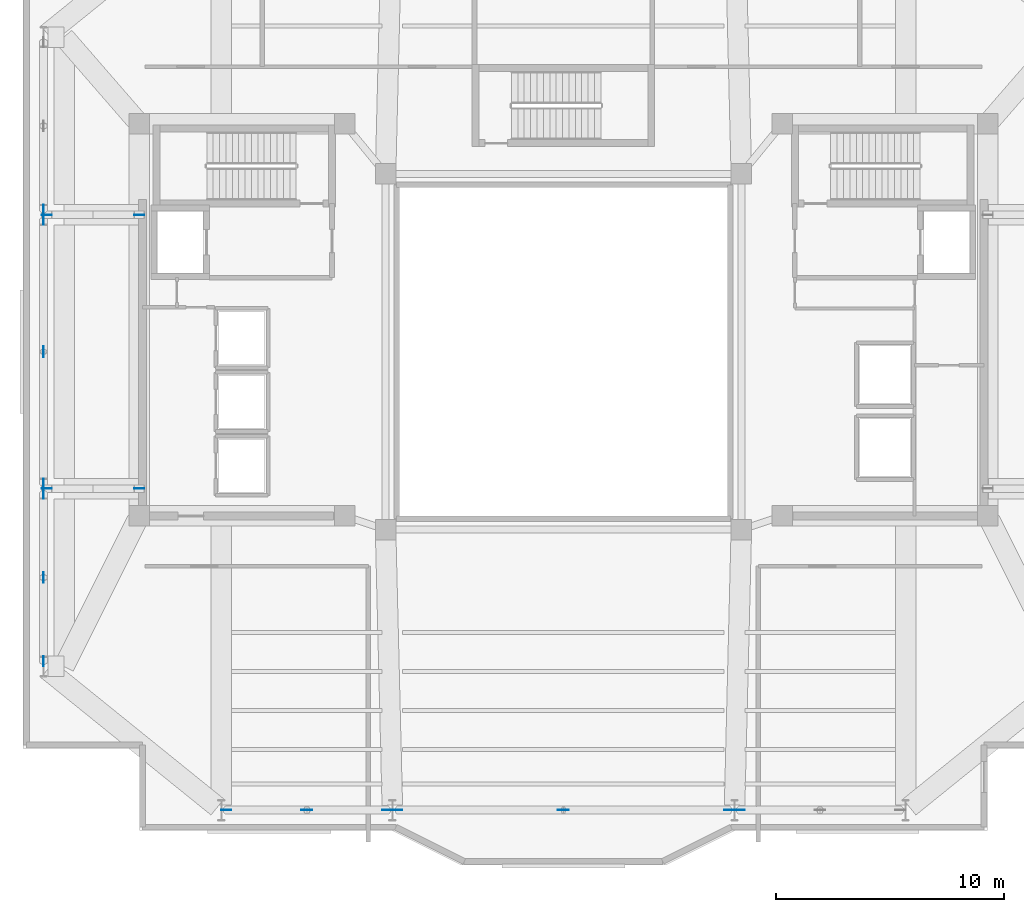
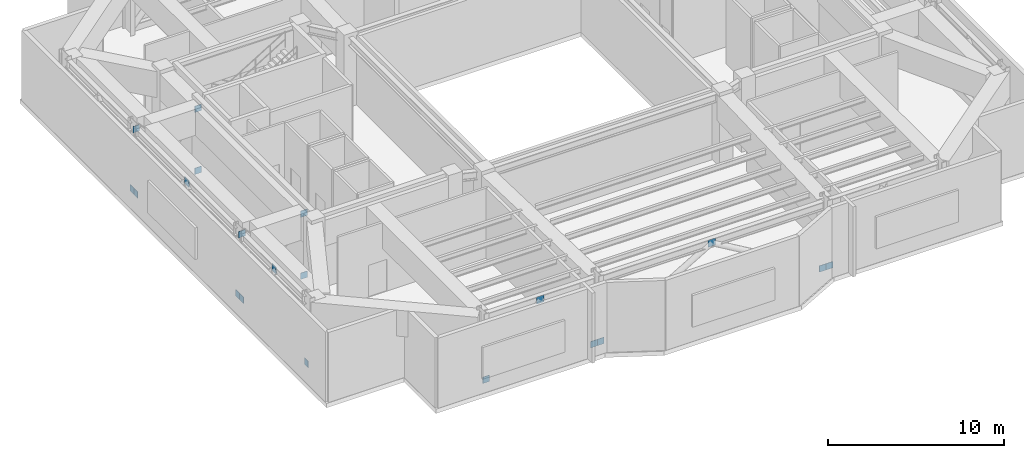
# One storey, part 4 of 13: 20 plates.
"""IFC4 building model written with IfcOpenShell, lengths in metres."""

from ifc_helpers import new_model, si_unit, direction, frame, origin, origin_2d, place, context, subcontext, project, spatial, rectangle, extrude, material, layer, layer_set, type_object, element, save


model = new_model("IFC4")

# Units and contexts
model_context = context("Model", 3, precision=1e-05, world=origin(), true_north=direction((0.0, 1.0)))
body_context = subcontext(model_context, "Body", "Model", "MODEL_VIEW")
ifc_project = project(units=[si_unit("LENGTHUNIT", "METRE"), si_unit("AREAUNIT", "SQUARE_METRE"), si_unit("VOLUMEUNIT", "CUBIC_METRE"), si_unit("PLANEANGLEUNIT", "RADIAN"), si_unit("MASSUNIT", "GRAM", prefix="KILO")], contexts=[model_context])

# Site, building, storey
site_placement = place(None, origin())
site = spatial("IfcSite", under=ifc_project, at=site_placement, CompositionType="ELEMENT")
building_placement = place(site_placement, origin())
building = spatial("IfcBuilding", under=site, at=building_placement, Name="Tarnavaz Court Tower", CompositionType="ELEMENT")
storey_placement = place(building_placement, frame((0.0, 0.0, 236.39990234375)))
storey = spatial("IfcBuildingStorey", under=building, at=storey_placement, Name="L64", CompositionType="ELEMENT", Elevation=236.39990234375)

# Plates
ifc_material = material(Name="Steel S355", Category="steel")
ifc_layer = layer(ifc_material, 0.030029296875)
ifc_layer_set = layer_set([ifc_layer], Name="Steel S355")
plate_type = type_object("IfcPlateType", Name="PL-GUSSET-30", PredefinedType="USERDEFINED", material=ifc_layer_set)
for number, where, z_axis, x_axis, name in (
    (1, (-11.25, -20.10009765625, 4.260009765625), (0.0, 0.0, 1.0), (1.0, 0.0, 0.0), "L64 Belt Truss Apex Gusset & End-Cap Plate 04"),
    (2, (0.0, -20.10009765625, 4.260009765625), (0.0, 0.0, 1.0), (1.0, 0.0, 0.0), "L64 Belt Truss Apex Gusset & End-Cap Plate 05"),
    (3, (-22.800048828125, -9.89990234375, 4.260009765625), (0.0, 0.0, 1.0), (0.0, 1.0, 0.0), "L64 Belt Truss Apex Gusset & End-Cap Plate 10"),
    (4, (-22.800048828125, 0.0, 4.260009765625), (0.0, 0.0, 1.0), (0.0, 1.0, 0.0), "L64 Belt Truss Apex Gusset & End-Cap Plate 11"),
):
    element("IfcPlate", number, at=place(storey_placement, frame(where, z_axis=z_axis, x_axis=x_axis)), inside=storey, type_object=plate_type, Name=name, ObjectType="GUSSET PLATE", PredefinedType="USERDEFINED", context=body_context, shape_type="SweptSolid", body=[
        extrude(rectangle(XDim=0.47998046875, YDim=0.030029296875, at=origin_2d()), origin(), (0.0, 0.0, 1.0), 0.47998046875),
    ])
for number, where, z_axis, x_axis, name in (
    (5, (-14.780029296875, -20.10009765625, -0.019775390625), (0.0, 0.0, 1.0), (1.0, 0.0, 0.0), "L64 Structural Brace & Strut End Gusset Plate 117"),
    (6, (-7.719970703125, -20.10009765625, -0.019775390625), (0.0, 0.0, 1.0), (1.0, 0.0, 0.0), "L64 Structural Brace & Strut End Gusset Plate 118"),
    (7, (-7.280029296875, -20.10009765625, -0.019775390625), (0.0, 0.0, 1.0), (1.0, 0.0, 0.0), "L64 Structural Brace & Strut End Gusset Plate 119"),
    (8, (7.280029296875, -20.10009765625, -0.019775390625), (0.0, 0.0, 1.0), (1.0, 0.0, 0.0), "L64 Structural Brace & Strut End Gusset Plate 120"),
    (9, (7.719970703125, -20.10009765625, -0.019775390625), (0.0, 0.0, 1.0), (1.0, 0.0, 0.0), "L64 Structural Brace & Strut End Gusset Plate 121"),
    (10, (-22.800048828125, -13.580078125, -0.019775390625), (0.0, 0.0, 1.0), (0.0, 1.0, 0.0), "L64 Structural Brace & Strut End Gusset Plate 129"),
    (11, (-22.800048828125, -6.219970703125, -0.019775390625), (0.0, 0.0, 1.0), (0.0, 1.0, 0.0), "L64 Structural Brace & Strut End Gusset Plate 130"),
    (12, (-22.800048828125, -5.780029296875, -0.019775390625), (0.0, 0.0, 1.0), (0.0, 1.0, 0.0), "L64 Structural Brace & Strut End Gusset Plate 131"),
    (13, (-22.800048828125, 5.780029296875, -0.019775390625), (0.0, 0.0, 1.0), (0.0, 1.0, 0.0), "L64 Structural Brace & Strut End Gusset Plate 132"),
    (14, (-22.800048828125, 6.219970703125, -0.019775390625), (0.0, 0.0, 1.0), (0.0, 1.0, 0.0), "L64 Structural Brace & Strut End Gusset Plate 133"),
    (15, (-18.60009765625, -6.0, -0.019775390625), (0.0, 0.0, 1.0), (1.0, 0.0, 0.0), "L64 Structural Brace & Strut End Gusset Plate 141"),
    (16, (-22.659912109375, -6.0, 4.280029296875), (0.0, 0.0, 1.0), (1.0, 0.0, 0.0), "L64 Structural Brace & Strut End Gusset Plate 142"),
    (17, (-18.60009765625, -6.0, 4.280029296875), (0.0, 0.0, 1.0), (1.0, 0.0, 0.0), "L64 Structural Brace & Strut End Gusset Plate 143"),
    (18, (-18.60009765625, 6.0, -0.019775390625), (0.0, 0.0, 1.0), (1.0, 0.0, 0.0), "L64 Structural Brace & Strut End Gusset Plate 144"),
    (19, (-22.659912109375, 6.0, 4.280029296875), (0.0, 0.0, 1.0), (1.0, 0.0, 0.0), "L64 Structural Brace & Strut End Gusset Plate 145"),
    (20, (-18.60009765625, 6.0, 4.280029296875), (0.0, 0.0, 1.0), (1.0, 0.0, 0.0), "L64 Structural Brace & Strut End Gusset Plate 146"),
):
    element("IfcPlate", number, at=place(storey_placement, frame(where, z_axis=z_axis, x_axis=x_axis)), inside=storey, type_object=plate_type, Name=name, ObjectType="GUSSET PLATE", PredefinedType="USERDEFINED", context=body_context, shape_type="SweptSolid", body=[
        extrude(rectangle(XDim=0.43994140625, YDim=0.030029296875, at=origin_2d()), origin(), (0.0, 0.0, 1.0), 0.43994140625),
    ])

save(model, "model.ifc")
